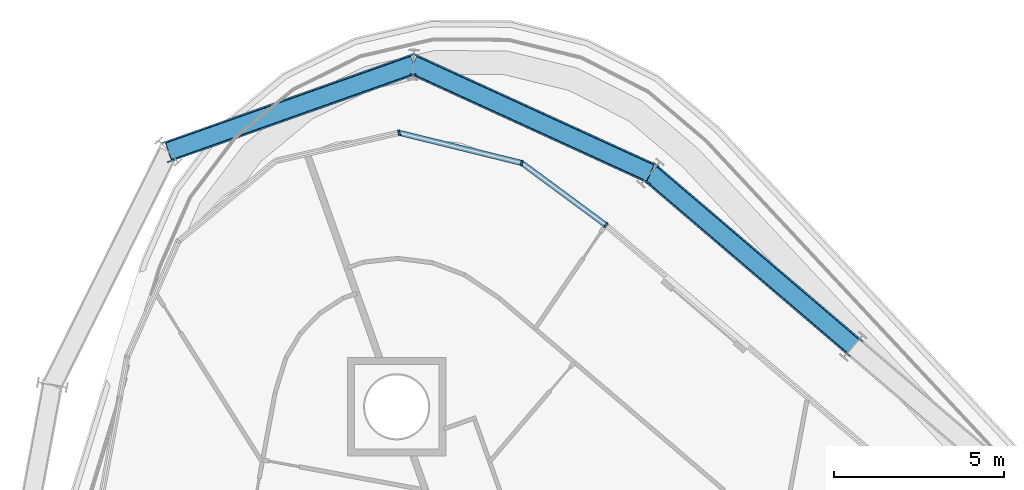
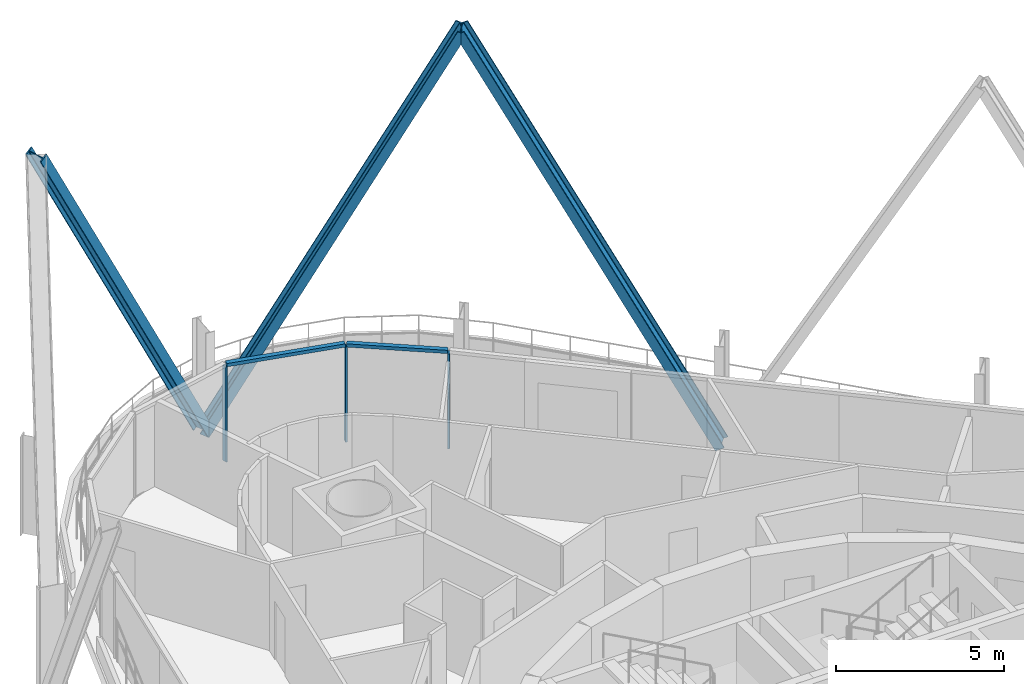
# One storey, part 7 of 25: 8 members, 1 element without a shape of its own.
"""IFC4 building model written with IfcOpenShell, lengths in metres."""

from ifc_helpers import new_model, si_unit, direction, frame, origin, origin_2d, place, context, subcontext, project, spatial, rectangle, i_section, extrude, material, layer, layer_set, material_profile, profile_set, type_object, element, aggregate, save


model = new_model("IFC4")

# Units and contexts
model_context = context("Model", 3, precision=1e-05, world=origin(), true_north=direction((0.0, 1.0)))
body_context = subcontext(model_context, "Body", "Model", "MODEL_VIEW")
ifc_project = project(units=[si_unit("LENGTHUNIT", "METRE"), si_unit("AREAUNIT", "SQUARE_METRE"), si_unit("VOLUMEUNIT", "CUBIC_METRE"), si_unit("PLANEANGLEUNIT", "RADIAN"), si_unit("MASSUNIT", "GRAM", prefix="KILO")], contexts=[model_context])

# Site, building, storey
site_placement = place(None, origin())
site = spatial("IfcSite", under=ifc_project, at=site_placement, CompositionType="ELEMENT")
building_placement = place(site_placement, origin())
building = spatial("IfcBuilding", under=site, at=building_placement, Name="Spindle Arch Residences", CompositionType="ELEMENT")
storey_placement = place(building_placement, frame((0.0, 0.0, 151.699951171875)))
storey = spatial("IfcBuildingStorey", under=building, at=storey_placement, Name="L37", CompositionType="ELEMENT", Elevation=151.699951171875)

# Curtain wall, members
ifc_material_1 = material(Name="Aluminium bronze unitised frame with tinted glass", Category="aluminium")
ifc_layer = layer(ifc_material_1, 0.159912109375)
ifc_layer_set = layer_set([ifc_layer], Name="CW-D corner wall on the fillet arcs")
curtain_wall_type = type_object("IfcCurtainWallType", Name="CW-D corner wall on the fillet arcs", PredefinedType="NOTDEFINED", material=ifc_layer_set)
curtain_wall_placement = place(storey_placement, origin())
curtain_wall = element("IfcCurtainWall", 1, at=curtain_wall_placement, inside=storey, type_object=curtain_wall_type, Name="CW-D L37 run 3", PredefinedType="NOTDEFINED")
ifc_material_2 = material(Name="Aluminium bronze anodised mullion", Category="aluminium")
ifc_material_profile_1 = material_profile(ifc_material_2, rectangle(XDim=0.159912109375, YDim=0.06005859375, at=origin_2d()), Name="MU 60x160")
ifc_profile_set_1 = profile_set([ifc_material_profile_1], Name="Aluminium bronze anodised mullion")
member_type_1 = type_object("IfcMemberType", Name="Bronze mullion 60x160", PredefinedType="MULLION", material=ifc_profile_set_1)
member_1_placement = place(storey_placement, frame((-0.86181640625, 25.213623046875, -0.449951171875), z_axis=(0.0, 0.0, 1.0), x_axis=(-0.594134492109, -0.804365716131, 0.0)))
member_1 = element("IfcMember", 2, at=member_1_placement, type_object=member_type_1, Name="CW-D mullion 00", PredefinedType="MULLION", context=body_context, shape_type="SweptSolid", body=[
    extrude(rectangle(XDim=0.159912109375, YDim=0.06005859375, at=origin_2d()), origin(), (0.0, 0.0, 1.0), 3.449951171875),
])
member_2_placement = place(storey_placement, frame((-3.3427734375, 27.046142578125, -0.449951171875), z_axis=(0.0, 0.0, 1.0), x_axis=(-0.239098401721, -0.970995342056, 0.0)))
member_2 = element("IfcMember", 3, at=member_2_placement, type_object=member_type_1, Name="CW-D mullion 01", PredefinedType="MULLION", context=body_context, shape_type="SweptSolid", body=[
    extrude(rectangle(XDim=0.159912109375, YDim=0.06005859375, at=origin_2d()), origin(), (0.0, 0.0, 1.0), 3.449951171875),
])
member_3_placement = place(storey_placement, frame((-6.96142578125, 27.937255859375, -0.449951171875), z_axis=(0.0, 0.0, 1.0), x_axis=(0.222115779633, -0.975020297449, 0.0)))
member_3 = element("IfcMember", 4, at=member_3_placement, type_object=member_type_1, Name="CW-D mullion 02", PredefinedType="MULLION", context=body_context, shape_type="SweptSolid", body=[
    extrude(rectangle(XDim=0.159912109375, YDim=0.06005859375, at=origin_2d()), origin(), (0.0, 0.0, 1.0), 3.449951171875),
])
ifc_material_3 = material(Name="Aluminium bronze anodised transom", Category="aluminium")
ifc_material_profile_2 = material_profile(ifc_material_3, rectangle(XDim=0.159912109375, YDim=0.1201171875, at=origin_2d()), Name="TR 120x160")
ifc_profile_set_2 = profile_set([ifc_material_profile_2], Name="Aluminium bronze anodised transom")
member_type_2 = type_object("IfcMemberType", Name="Bronze transom 120x160", PredefinedType="USERDEFINED", material=ifc_profile_set_2)
member_4_placement = place(storey_placement, frame((-0.8857421875, 25.2314453125, 3.06005859375), z_axis=(-0.804385788662, 0.594107316062, 0.0), x_axis=(-0.594107316062, -0.804385788662, 0.0)))
member_4 = element("IfcMember", 5, at=member_4_placement, type_object=member_type_2, Name="CW-D transom 00", ObjectType="TRANSOM", PredefinedType="USERDEFINED", context=body_context, shape_type="SweptSolid", body=[
    extrude(rectangle(XDim=0.159912109375, YDim=0.1201171875, at=origin_2d()), origin(), (0.0, 0.0, 1.0), 3.0244140625),
])
member_5_placement = place(storey_placement, frame((-3.371826171875, 27.053466796875, 3.06005859375), z_axis=(-0.970997997578, 0.239087617204, 0.0), x_axis=(-0.239087617204, -0.970997997578, 0.0)))
member_5 = element("IfcMember", 6, at=member_5_placement, type_object=member_type_2, Name="CW-D transom 01", ObjectType="TRANSOM", PredefinedType="USERDEFINED", context=body_context, shape_type="SweptSolid", body=[
    extrude(rectangle(XDim=0.159912109375, YDim=0.1201171875, at=origin_2d()), origin(), (0.0, 0.0, 1.0), 3.6669921875),
])
aggregate(curtain_wall, [member_1, member_4, member_2, member_5, member_3])

# Members
ifc_material_4 = material(Name="Steel S460ML, intumescent coating R 240", Category="steel")
ifc_material_profile_3 = material_profile(ifc_material_4, i_section(OverallWidth=0.304931640625, OverallDepth=0.6201171875, WebThickness=0.02099609375, FlangeThickness=0.0400390625, FilletRadius=0.027099609375, at=origin_2d()), Name="HEM 600")
ifc_profile_set_3 = profile_set([ifc_material_profile_3], Name="Steel S460ML, intumescent coating R 240")
member_type_3 = type_object("IfcMemberType", Name="Diagrid diagonal HEM 600", PredefinedType="BRACE", material=ifc_profile_set_3)
member_6_placement = place(storey_placement, frame((6.427001953125, 21.64501953125, -0.699951171875), z_axis=(-0.370847799722, 0.316722592892, 0.873017015065), x_axis=(0.663857380095, -0.566967448348, 0.487689749131)))
element("IfcMember", 7, at=member_6_placement, inside=storey, type_object=member_type_3, Name="Diagrid diagonal 4.1.9", PredefinedType="BRACE", context=body_context, shape_type="SweptSolid", body=[
    extrude(i_section(OverallWidth=0.304931640625, OverallDepth=0.6201171875, WebThickness=0.02099609375, FlangeThickness=0.0400390625, FilletRadius=0.027099609375, at=origin_2d()), origin(), (0.0, 0.0, 1.0), 16.11669921875),
])
member_7_placement = place(storey_placement, frame((-6.53955078125, 29.945556640625, -0.699951171875), z_axis=(0.435976085978, -0.199349037427, 0.877601739818), x_axis=(-0.798124756054, 0.364940662993, 0.479390431974)))
element("IfcMember", 8, at=member_7_placement, inside=storey, type_object=member_type_3, Name="Diagrid diagonal 4.1.10", PredefinedType="BRACE", context=body_context, shape_type="SweptSolid", body=[
    extrude(i_section(OverallWidth=0.304931640625, OverallDepth=0.6201171875, WebThickness=0.02099609375, FlangeThickness=0.0400390625, FilletRadius=0.027099609375, at=origin_2d()), origin(), (0.0, 0.0, 1.0), 16.032470703125),
])
member_8_placement = place(storey_placement, frame((-6.53955078125, 29.945556640625, -0.699951171875), z_axis=(-0.450868438474, -0.159666063888, 0.878193827825), x_axis=(0.827818948906, 0.293155568022, 0.478304924467)))
element("IfcMember", 9, at=member_8_placement, inside=storey, type_object=member_type_3, Name="Diagrid diagonal 4.1.11", PredefinedType="BRACE", context=body_context, shape_type="SweptSolid", body=[
    extrude(i_section(OverallWidth=0.304931640625, OverallDepth=0.6201171875, WebThickness=0.02099609375, FlangeThickness=0.0400390625, FilletRadius=0.027099609375, at=origin_2d()), origin(), (0.0, 0.0, 1.0), 16.021484375),
])

save(model, "model.ifc")
